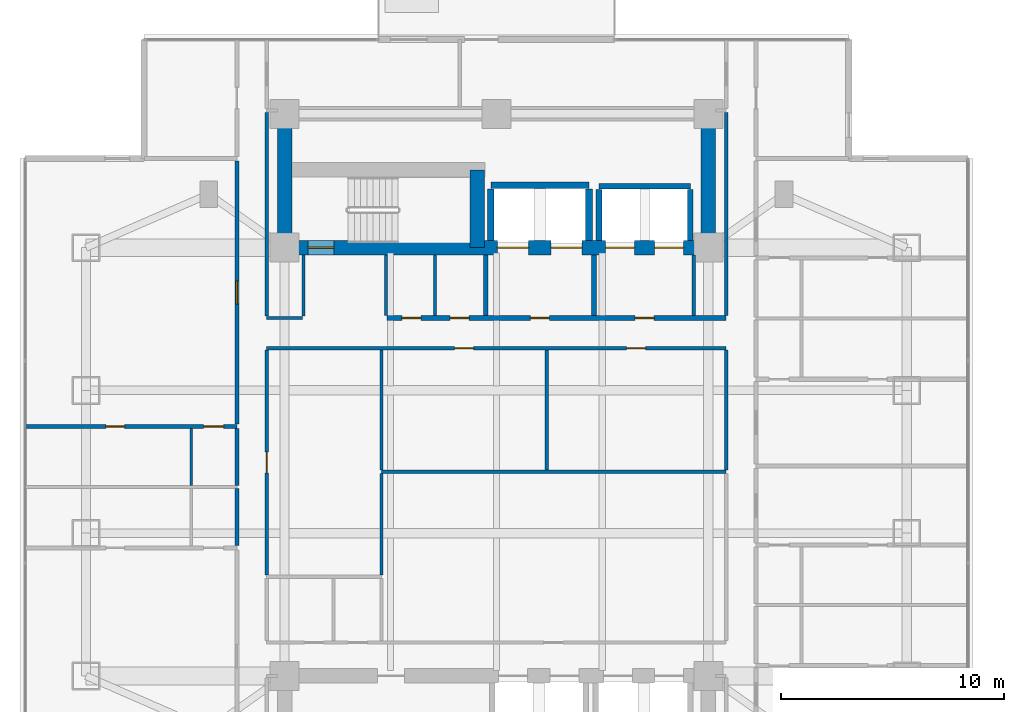
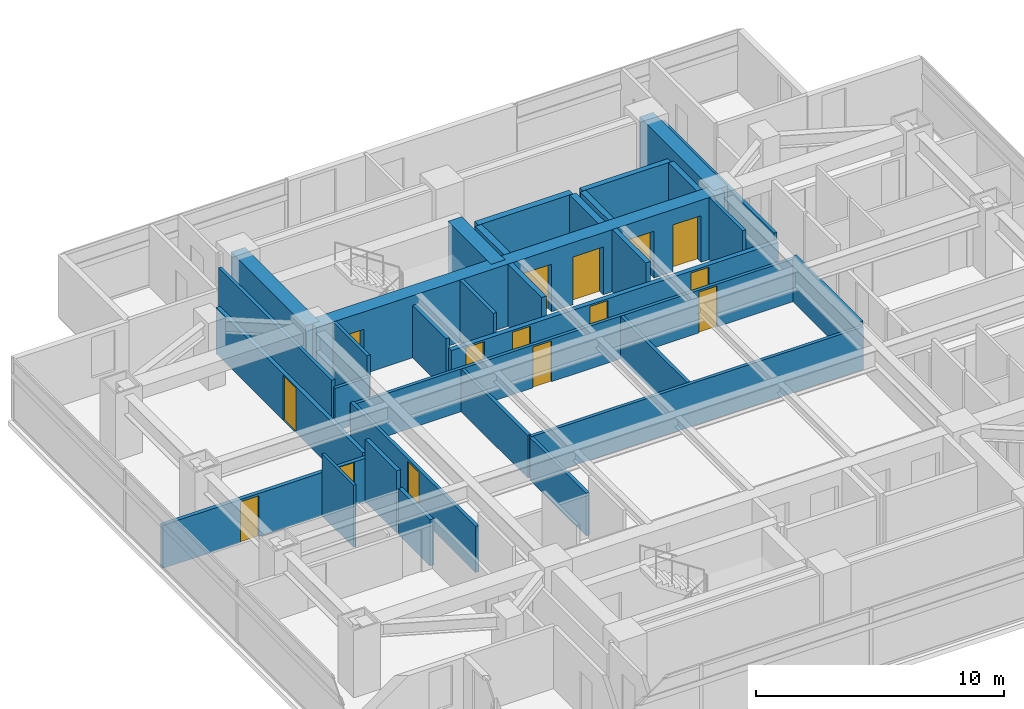
# One storey, part 14 of 25: 32 walls, 15 doors, 15 openings.
"""IFC4 building model written with IfcOpenShell, lengths in metres."""

from ifc_helpers import new_model, si_unit, direction, frame, frame_2d, origin, place, context, subcontext, project, spatial, rectangle, extrude, material, layer, layer_set, type_object, element, fill, save


model = new_model("IFC4")

# Units and contexts
model_context = context("Model", 3, precision=1e-05, world=origin(), true_north=direction((0.0, 1.0)))
body_context = subcontext(model_context, "Body", "Model", "MODEL_VIEW")
ifc_project = project(units=[si_unit("LENGTHUNIT", "METRE"), si_unit("AREAUNIT", "SQUARE_METRE"), si_unit("VOLUMEUNIT", "CUBIC_METRE"), si_unit("PLANEANGLEUNIT", "RADIAN"), si_unit("MASSUNIT", "GRAM", prefix="KILO")], contexts=[model_context])

# Site, building, storey
site_placement = place(None, origin())
site = spatial("IfcSite", under=ifc_project, at=site_placement, CompositionType="ELEMENT")
building_placement = place(site_placement, origin())
building = spatial("IfcBuilding", under=site, at=building_placement, Name="Mirazonda Arch Towers", CompositionType="ELEMENT")
storey_placement = place(building_placement, frame((0.0, 0.0, 58.699951171875)))
storey = spatial("IfcBuildingStorey", under=building, at=storey_placement, Name="L16", CompositionType="ELEMENT", Elevation=58.699951171875)

# Walls
ifc_material_1 = material(Name="Concrete C60/75", Category="concrete")
ifc_layer_1 = layer(ifc_material_1, 0.64990234375, Name="WALL-CORE-650")
ifc_layer_set_1 = layer_set([ifc_layer_1], Name="Concrete C60/75")
wall_type_1 = type_object("IfcWallType", Name="WALL-CORE-650", PredefinedType="SHEAR", material=ifc_layer_set_1)
for number, where, z_axis, x_axis, name in (
    (1, (11.0, 37.60009765625, 0.0), (0.0, 0.0, 1.0), (0.0, 1.0, 0.0), "L16 T1N-W Core Shear Wall"),
    (2, (30.0, 37.60009765625, 0.0), (0.0, 0.0, 1.0), (0.0, 1.0, 0.0), "L16 T1N-E Core Shear Wall"),
):
    element("IfcWall", number, at=place(storey_placement, frame(where, z_axis=z_axis, x_axis=x_axis)), inside=storey, type_object=wall_type_1, Name=name, PredefinedType="SHEAR", context=body_context, shape_type="SweptSolid", body=[
        extrude(rectangle(XDim=6.0, YDim=0.64990234375, at=frame_2d((3.0, 0.0))), origin(), (0.0, 0.0, 1.0), 3.06005859375),
    ])

# Wall, openings, doors
wall_1_placement = place(storey_placement, frame((11.0, 37.60009765625, 0.0), z_axis=(0.0, 0.0, 1.0), x_axis=(1.0, 0.0, 0.0)))
wall_1 = element("IfcWall", 3, at=wall_1_placement, inside=storey, type_object=wall_type_1, Name="L16 T1N-S Core Shear Wall", PredefinedType="SHEAR", context=body_context, shape_type="SweptSolid", body=[
    extrude(rectangle(XDim=19.0, YDim=0.64990234375, at=frame_2d((9.5, 0.0))), origin(), (0.0, 0.0, 1.0), 3.06005859375),
])
opening_1_placement = place(wall_1_placement, frame((1.06005859375, 0.0, 0.0)))
opening_1 = element("IfcOpeningElement", 4, at=opening_1_placement, cuts=wall_1, Name="Opening DR-135", PredefinedType="OPENING", context=body_context, shape_type="SweptSolid", body=[
    extrude(rectangle(XDim=1.14990234375, YDim=2.199951171875, at=frame_2d((0.574951171875, 1.10009765625))), frame((0.0, 0.3349609375, 0.0), z_axis=(0.0, -1.0, 0.0), x_axis=(1.0, 0.0, 0.0)), (0.0, 0.0, 1.0), 0.669921875),
])
opening_2_placement = place(wall_1_placement, frame((9.550048828125, 0.0, 0.0)))
opening_2 = element("IfcOpeningElement", 5, at=opening_2_placement, cuts=wall_1, Name="Opening LD-112", PredefinedType="OPENING", context=body_context, shape_type="SweptSolid", body=[
    extrude(rectangle(XDim=1.39990234375, YDim=2.35009765625, at=frame_2d((0.699951171875, 1.175048828125))), frame((0.0, 0.3349609375, 0.0), z_axis=(0.0, -1.0, 0.0), x_axis=(1.0, 0.0, 0.0)), (0.0, 0.0, 1.0), 0.669921875),
])
opening_3_placement = place(wall_1_placement, frame((11.949951171875, 0.0, 0.0)))
opening_3 = element("IfcOpeningElement", 6, at=opening_3_placement, cuts=wall_1, Name="Opening LD-112", PredefinedType="OPENING", context=body_context, shape_type="SweptSolid", body=[
    extrude(rectangle(XDim=1.39990234375, YDim=2.35009765625, at=frame_2d((0.699951171875, 1.175048828125))), frame((0.0, 0.3349609375, 0.0), z_axis=(0.0, -1.0, 0.0), x_axis=(1.0, 0.0, 0.0)), (0.0, 0.0, 1.0), 0.669921875),
])
opening_4_placement = place(wall_1_placement, frame((14.39990234375, 0.0, 0.0)))
opening_4 = element("IfcOpeningElement", 7, at=opening_4_placement, cuts=wall_1, Name="Opening LD-111", PredefinedType="OPENING", context=body_context, shape_type="SweptSolid", body=[
    extrude(rectangle(XDim=1.300048828125, YDim=2.300048828125, at=frame_2d((0.64990234375, 1.14990234375))), frame((0.0, 0.3349609375, 0.0), z_axis=(0.0, -1.0, 0.0), x_axis=(1.0, 0.0, 0.0)), (0.0, 0.0, 1.0), 0.669921875),
])
opening_5_placement = place(wall_1_placement, frame((16.60009765625, 0.0, 0.0)))
opening_5 = element("IfcOpeningElement", 8, at=opening_5_placement, cuts=wall_1, Name="Opening LD-111", PredefinedType="OPENING", context=body_context, shape_type="SweptSolid", body=[
    extrude(rectangle(XDim=1.300048828125, YDim=2.300048828125, at=frame_2d((0.64990234375, 1.14990234375))), frame((0.0, 0.3349609375, 0.0), z_axis=(0.0, -1.0, 0.0), x_axis=(1.0, 0.0, 0.0)), (0.0, 0.0, 1.0), 0.669921875),
])
ifc_material_2 = material(Name="Architectural Brushed Steel S355", Category="steel")
door_type_1 = type_object("IfcDoorType", Name="DOOR-LIFT-FFL-1400", OperationType="NOTDEFINED", PredefinedType="DOOR", material=ifc_material_2)
door_1_placement = place(opening_2_placement, origin())
door_1 = element("IfcDoor", 9, at=door_1_placement, inside=storey, type_object=door_type_1, Name="L16 Lift Landing Sliding Door FFL-T1", OperationType="DOUBLE_DOOR_SLIDING", OverallHeight=2.35009765625, OverallWidth=1.39990234375, PredefinedType="DOOR", context=body_context, shape_type="SweptSolid", body=[
    extrude(rectangle(XDim=1.39990234375, YDim=2.35009765625, at=frame_2d((0.699951171875, 1.175048828125))), frame((0.0, 0.02490234375, 0.0), z_axis=(0.0, -1.0, 0.0), x_axis=(1.0, 0.0, 0.0)), (0.0, 0.0, 1.0), 0.050048828125),
])
fill(opening_2, door_1)
door_2_placement = place(opening_3_placement, origin())
door_2 = element("IfcDoor", 10, at=door_2_placement, inside=storey, type_object=door_type_1, Name="L16 Lift Landing Sliding Door SVL-T1", OperationType="DOUBLE_DOOR_SLIDING", OverallHeight=2.35009765625, OverallWidth=1.39990234375, PredefinedType="DOOR", context=body_context, shape_type="SweptSolid", body=[
    extrude(rectangle(XDim=1.39990234375, YDim=2.35009765625, at=frame_2d((0.699951171875, 1.175048828125))), frame((0.0, 0.02490234375, 0.0), z_axis=(0.0, -1.0, 0.0), x_axis=(1.0, 0.0, 0.0)), (0.0, 0.0, 1.0), 0.050048828125),
])
fill(opening_3, door_2)
door_type_2 = type_object("IfcDoorType", Name="DOOR-LIFT-LAND-1300", OperationType="NOTDEFINED", PredefinedType="DOOR", material=ifc_material_2)
door_3_placement = place(opening_4_placement, origin())
door_3 = element("IfcDoor", 11, at=door_3_placement, inside=storey, type_object=door_type_2, Name="L16 Lift Landing Sliding Door PL-T1L1", OperationType="DOUBLE_DOOR_SLIDING", OverallHeight=2.300048828125, OverallWidth=1.300048828125, PredefinedType="DOOR", context=body_context, shape_type="SweptSolid", body=[
    extrude(rectangle(XDim=1.300048828125, YDim=2.300048828125, at=frame_2d((0.64990234375, 1.14990234375))), frame((0.0, 0.02490234375, 0.0), z_axis=(0.0, -1.0, 0.0), x_axis=(1.0, 0.0, 0.0)), (0.0, 0.0, 1.0), 0.050048828125),
])
fill(opening_4, door_3)
door_4_placement = place(opening_5_placement, origin())
door_4 = element("IfcDoor", 12, at=door_4_placement, inside=storey, type_object=door_type_2, Name="L16 Lift Landing Sliding Door PL-T1L2", OperationType="DOUBLE_DOOR_SLIDING", OverallHeight=2.300048828125, OverallWidth=1.300048828125, PredefinedType="DOOR", context=body_context, shape_type="SweptSolid", body=[
    extrude(rectangle(XDim=1.300048828125, YDim=2.300048828125, at=frame_2d((0.64990234375, 1.14990234375))), frame((0.0, 0.02490234375, 0.0), z_axis=(0.0, -1.0, 0.0), x_axis=(1.0, 0.0, 0.0)), (0.0, 0.0, 1.0), 0.050048828125),
])
fill(opening_5, door_4)
door_type_3 = type_object("IfcDoorType", Name="DOOR-STAIR-FD90-1150", OperationType="NOTDEFINED", PredefinedType="DOOR", material=ifc_material_2)
door_5_placement = place(opening_1_placement, origin())
door_5 = element("IfcDoor", 13, at=door_5_placement, inside=storey, type_object=door_type_3, Name="L16 Protected Exit Stair North Door", OperationType="SINGLE_SWING_RIGHT", OverallHeight=2.199951171875, OverallWidth=1.14990234375, PredefinedType="DOOR", context=body_context, shape_type="SweptSolid", body=[
    extrude(rectangle(XDim=1.14990234375, YDim=2.199951171875, at=frame_2d((0.574951171875, 1.10009765625))), frame((0.0, 0.02490234375, 0.0), z_axis=(0.0, -1.0, 0.0), x_axis=(1.0, 0.0, 0.0)), (0.0, 0.0, 1.0), 0.050048828125),
])
fill(opening_1, door_5)

# Wall
wall_2_placement = place(storey_placement, frame((19.64990234375, 37.60009765625, 0.0), z_axis=(0.0, 0.0, 1.0), x_axis=(0.0, 1.0, 0.0)))
element("IfcWall", 14, at=wall_2_placement, inside=storey, type_object=wall_type_1, Name="L16 T1N-STE Core Shear Wall", PredefinedType="SHEAR", context=body_context, shape_type="SweptSolid", body=[
    extrude(rectangle(XDim=3.492919921875, YDim=0.64990234375, at=frame_2d((1.74658203125, 0.0))), origin(), (0.0, 0.0, 1.0), 3.06005859375),
])

# Wall, openings, doors
ifc_material_3 = material(Name="Concrete C40/50", Category="concrete")
ifc_layer_2 = layer(ifc_material_3, 0.219970703125, Name="WALL-FFL-220")
ifc_layer_set_2 = layer_set([ifc_layer_2], Name="Concrete C40/50")
wall_type_2 = type_object("IfcWallType", Name="WALL-FFL-220", PredefinedType="SOLIDWALL", material=ifc_layer_set_2)
wall_3_placement = place(storey_placement, frame((15.590087890625, 34.449951171875, 0.0), z_axis=(0.0, 0.0, 1.0), x_axis=(1.0, 0.0, 0.0)))
wall_3 = element("IfcWall", 15, at=wall_3_placement, inside=storey, type_object=wall_type_2, Name="L16 Interior Partition 044", PredefinedType="SOLIDWALL", context=body_context, shape_type="SweptSolid", body=[
    extrude(rectangle(XDim=15.2099609375, YDim=0.219970703125, at=frame_2d((7.60498046875, 0.0))), origin(), (0.0, 0.0, 1.0), 2.10400390625),
])
opening_6_placement = place(wall_3_placement, frame((6.43505859375, 0.0, 0.0)))
opening_6 = element("IfcOpeningElement", 16, at=opening_6_placement, cuts=wall_3, Name="Opening DR-128", PredefinedType="OPENING", context=body_context, shape_type="SweptSolid", body=[
    extrude(rectangle(XDim=0.85009765625, YDim=2.010009765625, at=frame_2d((0.425048828125, 1.0048828125))), frame((0.0, 0.119873046875, 0.0), z_axis=(0.0, -1.0, 0.0), x_axis=(1.0, 0.0, 0.0)), (0.0, 0.0, 1.0), 0.239990234375),
])
opening_7_placement = place(wall_3_placement, frame((11.135009765625, 0.0, 0.0)))
opening_7 = element("IfcOpeningElement", 17, at=opening_7_placement, cuts=wall_3, Name="Opening DR-128", PredefinedType="OPENING", context=body_context, shape_type="SweptSolid", body=[
    extrude(rectangle(XDim=0.85009765625, YDim=2.010009765625, at=frame_2d((0.425048828125, 1.0048828125))), frame((0.0, 0.119873046875, 0.0), z_axis=(0.0, -1.0, 0.0), x_axis=(1.0, 0.0, 0.0)), (0.0, 0.0, 1.0), 0.239990234375),
])
opening_8_placement = place(wall_3_placement, frame((0.675048828125, 0.0, 0.0)))
opening_8 = element("IfcOpeningElement", 18, at=opening_8_placement, cuts=wall_3, Name="Opening DR-128", PredefinedType="OPENING", context=body_context, shape_type="SweptSolid", body=[
    extrude(rectangle(XDim=0.85009765625, YDim=2.010009765625, at=frame_2d((0.425048828125, 1.0048828125))), frame((0.0, 0.119873046875, 0.0), z_axis=(0.0, -1.0, 0.0), x_axis=(1.0, 0.0, 0.0)), (0.0, 0.0, 1.0), 0.239990234375),
])
opening_9_placement = place(wall_3_placement, frame((2.8349609375, 0.0, 0.0)))
opening_9 = element("IfcOpeningElement", 19, at=opening_9_placement, cuts=wall_3, Name="Opening DR-128", PredefinedType="OPENING", context=body_context, shape_type="SweptSolid", body=[
    extrude(rectangle(XDim=0.85009765625, YDim=2.010009765625, at=frame_2d((0.425048828125, 1.0048828125))), frame((0.0, 0.119873046875, 0.0), z_axis=(0.0, -1.0, 0.0), x_axis=(1.0, 0.0, 0.0)), (0.0, 0.0, 1.0), 0.239990234375),
])
door_type_4 = type_object("IfcDoorType", Name="DOOR-RISER-FD60-850", OperationType="NOTDEFINED", PredefinedType="DOOR", material=ifc_material_2)
door_6_placement = place(opening_6_placement, origin())
door_6 = element("IfcDoor", 20, at=door_6_placement, inside=storey, type_object=door_type_4, Name="L16 Firefighting Lift Lobby Door", OperationType="SINGLE_SWING_LEFT", OverallHeight=2.010009765625, OverallWidth=0.85009765625, PredefinedType="DOOR", context=body_context, shape_type="SweptSolid", body=[
    extrude(rectangle(XDim=0.85009765625, YDim=2.010009765625, at=frame_2d((0.425048828125, 1.0048828125))), frame((0.0, 0.02490234375, 0.0), z_axis=(0.0, -1.0, 0.0), x_axis=(1.0, 0.0, 0.0)), (0.0, 0.0, 1.0), 0.050048828125),
])
fill(opening_6, door_6)
door_7_placement = place(opening_7_placement, origin())
door_7 = element("IfcDoor", 21, at=door_7_placement, inside=storey, type_object=door_type_4, Name="L16 Passenger Lift Lobby North Door", OperationType="SINGLE_SWING_RIGHT", OverallHeight=2.010009765625, OverallWidth=0.85009765625, PredefinedType="DOOR", context=body_context, shape_type="SweptSolid", body=[
    extrude(rectangle(XDim=0.85009765625, YDim=2.010009765625, at=frame_2d((0.425048828125, 1.0048828125))), frame((0.0, 0.02490234375, 0.0), z_axis=(0.0, -1.0, 0.0), x_axis=(1.0, 0.0, 0.0)), (0.0, 0.0, 1.0), 0.050048828125),
])
fill(opening_7, door_7)
door_8_placement = place(opening_8_placement, origin())
door_8 = element("IfcDoor", 22, at=door_8_placement, inside=storey, type_object=door_type_4, Name="L16 Electrical Room Door", OperationType="SINGLE_SWING_LEFT", OverallHeight=2.010009765625, OverallWidth=0.85009765625, PredefinedType="DOOR", context=body_context, shape_type="SweptSolid", body=[
    extrude(rectangle(XDim=0.85009765625, YDim=2.010009765625, at=frame_2d((0.425048828125, 1.0048828125))), frame((0.0, 0.02490234375, 0.0), z_axis=(0.0, -1.0, 0.0), x_axis=(1.0, 0.0, 0.0)), (0.0, 0.0, 1.0), 0.050048828125),
])
fill(opening_8, door_8)
door_9_placement = place(opening_9_placement, origin())
door_9 = element("IfcDoor", 23, at=door_9_placement, inside=storey, type_object=door_type_4, Name="L16 Cleaners & Housekeeping Store Door", OperationType="SINGLE_SWING_RIGHT", OverallHeight=2.010009765625, OverallWidth=0.85009765625, PredefinedType="DOOR", context=body_context, shape_type="SweptSolid", body=[
    extrude(rectangle(XDim=0.85009765625, YDim=2.010009765625, at=frame_2d((0.425048828125, 1.0048828125))), frame((0.0, 0.02490234375, 0.0), z_axis=(0.0, -1.0, 0.0), x_axis=(1.0, 0.0, 0.0)), (0.0, 0.0, 1.0), 0.050048828125),
])
fill(opening_9, door_9)

# Walls
for number, where, z_axis, x_axis, name in (
    (24, (20.02490234375, 34.570068359375, 0.0), (0.0, 0.0, 1.0), (0.0, 1.0, 0.0), "L16 Interior Partition 084"),
    (25, (24.875, 34.570068359375, 0.0), (0.0, 0.0, 1.0), (0.0, 1.0, 0.0), "L16 Interior Partition 092"),
):
    element("IfcWall", number, at=place(storey_placement, frame(where, z_axis=z_axis, x_axis=x_axis)), inside=storey, type_object=wall_type_2, Name=name, PredefinedType="SOLIDWALL", context=body_context, shape_type="SweptSolid", body=[
        extrude(rectangle(XDim=2.7099609375, YDim=0.219970703125, at=frame_2d((1.35498046875, 0.0))), origin(), (0.0, 0.0, 1.0), 3.06005859375),
    ])
ifc_material_4 = material(Name="Fire-Rated Gypsum Stud Partition")
ifc_layer_3 = layer(ifc_material_4, 0.14990234375, Name="WALL-PART-CORR-150")
ifc_layer_set_3 = layer_set([ifc_layer_3], Name="Fire-Rated Gypsum Stud Partition")
wall_type_3 = type_object("IfcWallType", Name="WALL-PART-CORR-150", PredefinedType="PARTITIONING", material=ifc_layer_set_3)
wall_4_placement = place(storey_placement, frame((15.35009765625, 27.555908203125, 0.0), z_axis=(0.0, 0.0, 1.0), x_axis=(1.0, 0.0, 0.0)))
element("IfcWall", 26, at=wall_4_placement, inside=storey, type_object=wall_type_3, Name="L16 Interior Partition 031", PredefinedType="PARTITIONING", context=body_context, shape_type="SweptSolid", body=[
    extrude(rectangle(XDim=15.449951171875, YDim=0.14990234375, at=frame_2d((7.72509765625, 0.0))), origin(), (0.0, 0.0, 1.0), 2.10400390625),
])

# Wall, openings, doors
wall_5_placement = place(storey_placement, frame((10.199951171875, 33.10009765625, 0.0), z_axis=(0.0, 0.0, 1.0), x_axis=(1.0, 0.0, 0.0)))
wall_5 = element("IfcWall", 27, at=wall_5_placement, inside=storey, type_object=wall_type_3, Name="L16 Interior Partition 041", PredefinedType="PARTITIONING", context=body_context, shape_type="SweptSolid", body=[
    extrude(rectangle(XDim=20.60009765625, YDim=0.14990234375, at=frame_2d((10.300048828125, 0.0))), origin(), (0.0, 0.0, 1.0), 2.10400390625),
])
opening_10_placement = place(wall_5_placement, frame((8.43310546875, 0.0, 0.0)))
opening_10 = element("IfcOpeningElement", 28, at=opening_10_placement, cuts=wall_5, Name="Opening DR-128", PredefinedType="OPENING", context=body_context, shape_type="SweptSolid", body=[
    extrude(rectangle(XDim=0.85009765625, YDim=2.010009765625, at=frame_2d((0.425048828125, 1.0048828125))), frame((0.0, 0.0849609375, 0.0), z_axis=(0.0, -1.0, 0.0), x_axis=(1.0, 0.0, 0.0)), (0.0, 0.0, 1.0), 0.169921875),
])
opening_11_placement = place(wall_5_placement, frame((16.137939453125, 0.0, 0.0)))
opening_11 = element("IfcOpeningElement", 29, at=opening_11_placement, cuts=wall_5, Name="Opening DR-128", PredefinedType="OPENING", context=body_context, shape_type="SweptSolid", body=[
    extrude(rectangle(XDim=0.85009765625, YDim=2.010009765625, at=frame_2d((0.425048828125, 1.0048828125))), frame((0.0, 0.0849609375, 0.0), z_axis=(0.0, -1.0, 0.0), x_axis=(1.0, 0.0, 0.0)), (0.0, 0.0, 1.0), 0.169921875),
])
door_10_placement = place(opening_10_placement, origin())
door_10 = element("IfcDoor", 30, at=door_10_placement, inside=storey, type_object=door_type_4, Name="L16 Business Reading Study Door", OperationType="SINGLE_SWING_LEFT", OverallHeight=2.010009765625, OverallWidth=0.85009765625, PredefinedType="DOOR", context=body_context, shape_type="SweptSolid", body=[
    extrude(rectangle(XDim=0.85009765625, YDim=2.010009765625, at=frame_2d((0.425048828125, 1.0048828125))), frame((0.0, 0.02490234375, 0.0), z_axis=(0.0, -1.0, 0.0), x_axis=(1.0, 0.0, 0.0)), (0.0, 0.0, 1.0), 0.050048828125),
])
fill(opening_10, door_10)
door_11_placement = place(opening_11_placement, origin())
door_11 = element("IfcDoor", 31, at=door_11_placement, inside=storey, type_object=door_type_4, Name="L16 Private Meeting Suite Door", OperationType="SINGLE_SWING_RIGHT", OverallHeight=2.010009765625, OverallWidth=0.85009765625, PredefinedType="DOOR", context=body_context, shape_type="SweptSolid", body=[
    extrude(rectangle(XDim=0.85009765625, YDim=2.010009765625, at=frame_2d((0.425048828125, 1.0048828125))), frame((0.0, 0.02490234375, 0.0), z_axis=(0.0, -1.0, 0.0), x_axis=(1.0, 0.0, 0.0)), (0.0, 0.0, 1.0), 0.050048828125),
])
fill(opening_11, door_11)

# Wall
wall_6_placement = place(storey_placement, frame((10.199951171875, 34.449951171875, 0.0), z_axis=(0.0, 0.0, 1.0), x_axis=(1.0, 0.0, 0.0)))
element("IfcWall", 32, at=wall_6_placement, inside=storey, type_object=wall_type_3, Name="L16 Interior Partition 043", PredefinedType="PARTITIONING", context=body_context, shape_type="SweptSolid", body=[
    extrude(rectangle(XDim=1.60009765625, YDim=0.14990234375, at=frame_2d((0.800048828125, 0.0))), origin(), (0.0, 0.0, 1.0), 2.10400390625),
])

# Wall, opening, door
wall_7_placement = place(storey_placement, frame((10.206787109375, 22.93505859375, 0.0), z_axis=(0.0, 0.0, 1.0), x_axis=(0.0, 1.0, 0.0)))
wall_7 = element("IfcWall", 33, at=wall_7_placement, inside=storey, type_object=wall_type_3, Name="L16 Interior Partition 072", PredefinedType="PARTITIONING", context=body_context, shape_type="SweptSolid", body=[
    extrude(rectangle(XDim=10.079833984375, YDim=0.14990234375, at=frame_2d((5.0400390625, 0.0))), origin(), (0.0, 0.0, 1.0), 2.279052734375),
])
opening_12_placement = place(wall_7_placement, frame((4.56494140625, 0.0, 0.0)))
opening_12 = element("IfcOpeningElement", 34, at=opening_12_placement, cuts=wall_7, Name="Opening DR-104", PredefinedType="OPENING", context=body_context, shape_type="SweptSolid", body=[
    extrude(rectangle(XDim=0.949951171875, YDim=2.14990234375, at=frame_2d((0.47509765625, 1.074951171875))), frame((0.0, 0.0849609375, 0.0), z_axis=(0.0, -1.0, 0.0), x_axis=(1.0, 0.0, 0.0)), (0.0, 0.0, 1.0), 0.169921875),
])
door_type_5 = type_object("IfcDoorType", Name="DOOR-ROOM-950", OperationType="NOTDEFINED", PredefinedType="DOOR", material=ifc_material_2)
door_12_placement = place(opening_12_placement, origin())
door_12 = element("IfcDoor", 35, at=door_12_placement, inside=storey, type_object=door_type_5, Name="L16 L16 West Courtyard Salon Door", OperationType="SINGLE_SWING_LEFT", OverallHeight=2.14990234375, OverallWidth=0.949951171875, PredefinedType="DOOR", context=body_context, shape_type="SweptSolid", body=[
    extrude(rectangle(XDim=0.949951171875, YDim=2.14990234375, at=frame_2d((0.47509765625, 1.074951171875))), frame((0.0, 0.02490234375, 0.0), z_axis=(0.0, -1.0, 0.0), x_axis=(1.0, 0.0, 0.0)), (0.0, 0.0, 1.0), 0.050048828125),
])
fill(opening_12, door_12)

# Walls
wall_8_placement = place(storey_placement, frame((10.199951171875, 34.534912109375, 0.0), z_axis=(0.0, 0.0, 1.0), x_axis=(0.0, 1.0, 0.0)))
element("IfcWall", 36, at=wall_8_placement, inside=storey, type_object=wall_type_3, Name="L16 Interior Partition 073", PredefinedType="PARTITIONING", context=body_context, shape_type="SweptSolid", body=[
    extrude(rectangle(XDim=9.130126953125, YDim=0.14990234375, at=frame_2d((4.56494140625, 0.0))), origin(), (0.0, 0.0, 1.0), 2.43603515625),
])
wall_9_placement = place(storey_placement, frame((11.85009765625, 34.534912109375, 0.0), z_axis=(0.0, 0.0, 1.0), x_axis=(0.0, 1.0, 0.0)))
element("IfcWall", 37, at=wall_9_placement, inside=storey, type_object=wall_type_3, Name="L16 Interior Partition 075", PredefinedType="PARTITIONING", context=body_context, shape_type="SweptSolid", body=[
    extrude(rectangle(XDim=2.7451171875, YDim=0.14990234375, at=frame_2d((1.37255859375, 0.0))), origin(), (0.0, 0.0, 1.0), 3.06005859375),
])
wall_10_placement = place(storey_placement, frame((15.35009765625, 22.93505859375, 0.0), z_axis=(0.0, 0.0, 1.0), x_axis=(0.0, 1.0, 0.0)))
element("IfcWall", 38, at=wall_10_placement, inside=storey, type_object=wall_type_3, Name="L16 Interior Partition 078", PredefinedType="PARTITIONING", context=body_context, shape_type="SweptSolid", body=[
    extrude(rectangle(XDim=4.535888671875, YDim=0.14990234375, at=frame_2d((2.26806640625, 0.0))), origin(), (0.0, 0.0, 1.0), 2.10400390625),
])
wall_11_placement = place(storey_placement, frame((15.35009765625, 27.64111328125, 0.0), z_axis=(0.0, 0.0, 1.0), x_axis=(0.0, 1.0, 0.0)))
element("IfcWall", 39, at=wall_11_placement, inside=storey, type_object=wall_type_3, Name="L16 Interior Partition 079", PredefinedType="PARTITIONING", context=body_context, shape_type="SweptSolid", body=[
    extrude(rectangle(XDim=5.373779296875, YDim=0.14990234375, at=frame_2d((2.68701171875, 0.0))), origin(), (0.0, 0.0, 1.0), 2.10400390625),
])
wall_12_placement = place(storey_placement, frame((15.550048828125, 34.570068359375, 0.0), z_axis=(0.0, 0.0, 1.0), x_axis=(0.0, 1.0, 0.0)))
element("IfcWall", 40, at=wall_12_placement, inside=storey, type_object=wall_type_3, Name="L16 Interior Partition 080", PredefinedType="PARTITIONING", context=body_context, shape_type="SweptSolid", body=[
    extrude(rectangle(XDim=2.7099609375, YDim=0.14990234375, at=frame_2d((1.35498046875, 0.0))), origin(), (0.0, 0.0, 1.0), 2.589111328125),
])
wall_13_placement = place(storey_placement, frame((17.75, 34.570068359375, 0.0), z_axis=(0.0, 0.0, 1.0), x_axis=(0.0, 1.0, 0.0)))
element("IfcWall", 41, at=wall_13_placement, inside=storey, type_object=wall_type_3, Name="L16 Interior Partition 081", PredefinedType="PARTITIONING", context=body_context, shape_type="SweptSolid", body=[
    extrude(rectangle(XDim=2.7099609375, YDim=0.14990234375, at=frame_2d((1.35498046875, 0.0))), origin(), (0.0, 0.0, 1.0), 3.06005859375),
])
wall_14_placement = place(storey_placement, frame((22.76611328125, 27.64111328125, 0.0), z_axis=(0.0, 0.0, 1.0), x_axis=(0.0, 1.0, 0.0)))
element("IfcWall", 42, at=wall_14_placement, inside=storey, type_object=wall_type_3, Name="L16 Interior Partition 088", PredefinedType="PARTITIONING", context=body_context, shape_type="SweptSolid", body=[
    extrude(rectangle(XDim=5.373779296875, YDim=0.14990234375, at=frame_2d((2.68701171875, 0.0))), origin(), (0.0, 0.0, 1.0), 2.10400390625),
])
wall_15_placement = place(storey_placement, frame((29.35009765625, 34.570068359375, 0.0), z_axis=(0.0, 0.0, 1.0), x_axis=(0.0, 1.0, 0.0)))
element("IfcWall", 43, at=wall_15_placement, inside=storey, type_object=wall_type_3, Name="L16 Interior Partition 095", PredefinedType="PARTITIONING", context=body_context, shape_type="SweptSolid", body=[
    extrude(rectangle(XDim=2.7099609375, YDim=0.14990234375, at=frame_2d((1.35498046875, 0.0))), origin(), (0.0, 0.0, 1.0), 3.06005859375),
])
wall_16_placement = place(storey_placement, frame((30.800048828125, 27.64111328125, 0.0), z_axis=(0.0, 0.0, 1.0), x_axis=(0.0, 1.0, 0.0)))
element("IfcWall", 44, at=wall_16_placement, inside=storey, type_object=wall_type_3, Name="L16 Interior Partition 100", PredefinedType="PARTITIONING", context=body_context, shape_type="SweptSolid", body=[
    extrude(rectangle(XDim=5.373779296875, YDim=0.14990234375, at=frame_2d((2.68701171875, 0.0))), origin(), (0.0, 0.0, 1.0), 2.279052734375),
])
wall_17_placement = place(storey_placement, frame((30.800048828125, 34.570068359375, 0.0), z_axis=(0.0, 0.0, 1.0), x_axis=(0.0, 1.0, 0.0)))
element("IfcWall", 45, at=wall_17_placement, inside=storey, type_object=wall_type_3, Name="L16 Interior Partition 101", PredefinedType="PARTITIONING", context=body_context, shape_type="SweptSolid", body=[
    extrude(rectangle(XDim=9.094970703125, YDim=0.14990234375, at=frame_2d((4.54736328125, 0.0))), origin(), (0.0, 0.0, 1.0), 2.43603515625),
])

# Wall, openings, doors
ifc_material_5 = material(Name="Fire-Rated Gypsum Twin-Stud Assembly")
ifc_layer_4 = layer(ifc_material_5, 0.179931640625, Name="WALL-PART-DEMISE-180")
ifc_layer_set_4 = layer_set([ifc_layer_4], Name="Fire-Rated Gypsum Twin-Stud Assembly")
wall_type_4 = type_object("IfcWallType", Name="WALL-PART-DEMISE-180", PredefinedType="PARTITIONING", material=ifc_layer_set_4)
wall_18_placement = place(storey_placement, frame((-0.639892578125, 29.5859375, 0.0), z_axis=(0.0, 0.0, 1.0), x_axis=(1.0, 0.0, 0.0)))
wall_18 = element("IfcWall", 46, at=wall_18_placement, inside=storey, type_object=wall_type_4, Name="L16 Interior Partition 034", PredefinedType="PARTITIONING", context=body_context, shape_type="SweptSolid", body=[
    extrude(rectangle(XDim=9.5, YDim=0.179931640625, at=frame_2d((4.75, 0.0))), origin(), (0.0, 0.0, 1.0), 2.125),
])
opening_13_placement = place(wall_18_placement, frame((3.625, 0.0, 0.0)))
opening_13 = element("IfcOpeningElement", 47, at=opening_13_placement, cuts=wall_18, Name="Opening DR-128", PredefinedType="OPENING", context=body_context, shape_type="SweptSolid", body=[
    extrude(rectangle(XDim=0.85009765625, YDim=2.010009765625, at=frame_2d((0.425048828125, 1.0048828125))), frame((0.0, 0.099853515625, 0.0), z_axis=(0.0, -1.0, 0.0), x_axis=(1.0, 0.0, 0.0)), (0.0, 0.0, 1.0), 0.199951171875),
])
opening_14_placement = place(wall_18_placement, frame((8.010009765625, 0.0, 0.0)))
opening_14 = element("IfcOpeningElement", 48, at=opening_14_placement, cuts=wall_18, Name="Opening DR-120", PredefinedType="OPENING", context=body_context, shape_type="SweptSolid", body=[
    extrude(rectangle(XDim=0.89990234375, YDim=2.10009765625, at=frame_2d((0.449951171875, 1.050048828125))), frame((0.0, 0.099853515625, 0.0), z_axis=(0.0, -1.0, 0.0), x_axis=(1.0, 0.0, 0.0)), (0.0, 0.0, 1.0), 0.199951171875),
])
door_13_placement = place(opening_13_placement, origin())
door_13 = element("IfcDoor", 49, at=door_13_placement, inside=storey, type_object=door_type_4, Name="L16 Suite Bedroom 2 Door", OperationType="SINGLE_SWING_RIGHT", OverallHeight=2.010009765625, OverallWidth=0.85009765625, PredefinedType="DOOR", context=body_context, shape_type="SweptSolid", body=[
    extrude(rectangle(XDim=0.85009765625, YDim=2.010009765625, at=frame_2d((0.425048828125, 1.0048828125))), frame((0.0, 0.02490234375, 0.0), z_axis=(0.0, -1.0, 0.0), x_axis=(1.0, 0.0, 0.0)), (0.0, 0.0, 1.0), 0.050048828125),
])
fill(opening_13, door_13)
door_type_6 = type_object("IfcDoorType", Name="DOOR-WC-900", OperationType="NOTDEFINED", PredefinedType="DOOR", material=ifc_material_2)
door_14_placement = place(opening_14_placement, origin())
door_14 = element("IfcDoor", 50, at=door_14_placement, inside=storey, type_object=door_type_6, Name="L16 Suite En-Suite Bathroom 2 Door", OperationType="SINGLE_SWING_LEFT", OverallHeight=2.10009765625, OverallWidth=0.89990234375, PredefinedType="DOOR", context=body_context, shape_type="SweptSolid", body=[
    extrude(rectangle(XDim=0.89990234375, YDim=2.10009765625, at=frame_2d((0.449951171875, 1.050048828125))), frame((0.0, 0.02490234375, 0.0), z_axis=(0.0, -1.0, 0.0), x_axis=(1.0, 0.0, 0.0)), (0.0, 0.0, 1.0), 0.050048828125),
])
fill(opening_14, door_14)

# Walls
wall_19_placement = place(storey_placement, frame((8.860107421875, 24.24609375, 0.0), z_axis=(0.0, 0.0, 1.0), x_axis=(0.0, 1.0, 0.0)))
element("IfcWall", 51, at=wall_19_placement, inside=storey, type_object=wall_type_4, Name="L16 Interior Partition 065", PredefinedType="PARTITIONING", context=body_context, shape_type="SweptSolid", body=[
    extrude(rectangle(XDim=2.54736328125, YDim=0.179931640625, at=frame_2d((1.273681640625, 0.0))), origin(), (0.0, 0.0, 1.0), 2.279052734375),
])
wall_20_placement = place(storey_placement, frame((8.860107421875, 26.9384765625, 0.0), z_axis=(0.0, 0.0, 1.0), x_axis=(0.0, 1.0, 0.0)))
element("IfcWall", 52, at=wall_20_placement, inside=storey, type_object=wall_type_4, Name="L16 Interior Partition 066", PredefinedType="PARTITIONING", context=body_context, shape_type="SweptSolid", body=[
    extrude(rectangle(XDim=2.547607421875, YDim=0.179931640625, at=frame_2d((1.27392578125, 0.0))), origin(), (0.0, 0.0, 1.0), 3.06005859375),
])

# Wall, opening, door
wall_21_placement = place(storey_placement, frame((8.860107421875, 29.68603515625, 0.0), z_axis=(0.0, 0.0, 1.0), x_axis=(0.0, 1.0, 0.0)))
wall_21 = element("IfcWall", 53, at=wall_21_placement, inside=storey, type_object=wall_type_4, Name="L16 Interior Partition 067", PredefinedType="PARTITIONING", context=body_context, shape_type="SweptSolid", body=[
    extrude(rectangle(XDim=11.81005859375, YDim=0.179931640625, at=frame_2d((5.905029296875, 0.0))), origin(), (0.0, 0.0, 1.0), 2.279052734375),
])
opening_15_placement = place(wall_21_placement, frame((5.3798828125, 0.0, 0.0)))
opening_15 = element("IfcOpeningElement", 54, at=opening_15_placement, cuts=wall_21, Name="Opening DR-121", PredefinedType="OPENING", context=body_context, shape_type="SweptSolid", body=[
    extrude(rectangle(XDim=1.050048828125, YDim=2.199951171875, at=frame_2d((0.52490234375, 1.10009765625))), frame((0.0, 0.099853515625, 0.0), z_axis=(0.0, -1.0, 0.0), x_axis=(1.0, 0.0, 0.0)), (0.0, 0.0, 1.0), 0.199951171875),
])
door_type_7 = type_object("IfcDoorType", Name="DOOR-SUITE-FD60-1050", OperationType="NOTDEFINED", PredefinedType="DOOR", material=ifc_material_2)
door_15_placement = place(opening_15_placement, origin())
door_15 = element("IfcDoor", 55, at=door_15_placement, inside=storey, type_object=door_type_7, Name="L16 Presidential Hotel Suite 2 Door", OperationType="SINGLE_SWING_LEFT", OverallHeight=2.199951171875, OverallWidth=1.050048828125, PredefinedType="DOOR", context=body_context, shape_type="SweptSolid", body=[
    extrude(rectangle(XDim=1.050048828125, YDim=2.199951171875, at=frame_2d((0.52490234375, 1.10009765625))), frame((0.0, 0.02490234375, 0.0), z_axis=(0.0, -1.0, 0.0), x_axis=(1.0, 0.0, 0.0)), (0.0, 0.0, 1.0), 0.050048828125),
])
fill(opening_15, door_15)

# Walls
ifc_material_6 = material(Name="Acoustic Fire-Rated Gypsum Partition")
ifc_layer_5 = layer(ifc_material_6, 0.125, Name="WALL-PART-UNIT-125")
ifc_layer_set_5 = layer_set([ifc_layer_5], Name="Acoustic Fire-Rated Gypsum Partition")
wall_type_5 = type_object("IfcWallType", Name="WALL-PART-UNIT-125", PredefinedType="PARTITIONING", material=ifc_layer_set_5)
wall_22_placement = place(storey_placement, frame((6.820068359375, 26.9384765625, 0.0), z_axis=(0.0, 0.0, 1.0), x_axis=(0.0, 1.0, 0.0)))
element("IfcWall", 56, at=wall_22_placement, inside=storey, type_object=wall_type_5, Name="L16 Interior Partition 062", PredefinedType="PARTITIONING", context=body_context, shape_type="SweptSolid", body=[
    extrude(rectangle(XDim=2.547607421875, YDim=0.125, at=frame_2d((1.27392578125, 0.0))), origin(), (0.0, 0.0, 1.0), 3.06005859375),
])
ifc_layer_6 = layer(ifc_material_3, 0.25, Name="WALL-SHAFT-250")
ifc_layer_set_6 = layer_set([ifc_layer_6], Name="Concrete C40/50")
wall_type_6 = type_object("IfcWallType", Name="WALL-SHAFT-250", PredefinedType="SOLIDWALL", material=ifc_layer_set_6)
wall_23_placement = place(storey_placement, frame((25.10009765625, 40.35009765625, 0.0), z_axis=(0.0, 0.0, 1.0), x_axis=(1.0, 0.0, 0.0)))
element("IfcWall", 57, at=wall_23_placement, inside=storey, type_object=wall_type_6, Name="L16 Interior Partition 055", PredefinedType="SOLIDWALL", context=body_context, shape_type="SweptSolid", body=[
    extrude(rectangle(XDim=4.099853515625, YDim=0.25, at=frame_2d((2.0498046875, 0.0))), origin(), (0.0, 0.0, 1.0), 3.06005859375),
])
for number, where, z_axis, x_axis, name in (
    (58, (25.10009765625, 37.919921875, 0.0), (0.0, 0.0, 1.0), (0.0, 1.0, 0.0), "L16 Interior Partition 093"),
    (59, (29.199951171875, 37.919921875, 0.0), (0.0, 0.0, 1.0), (0.0, 1.0, 0.0), "L16 Interior Partition 096"),
):
    element("IfcWall", number, at=place(storey_placement, frame(where, z_axis=z_axis, x_axis=x_axis)), inside=storey, type_object=wall_type_6, Name=name, PredefinedType="SOLIDWALL", context=body_context, shape_type="SweptSolid", body=[
        extrude(rectangle(XDim=2.295166015625, YDim=0.25, at=frame_2d((1.1474609375, 0.0))), origin(), (0.0, 0.0, 1.0), 3.06005859375),
    ])
ifc_material_7 = material(Name="Concrete C50/60", Category="concrete")
ifc_layer_7 = layer(ifc_material_7, 0.300048828125, Name="WALL-SHAFT-300")
ifc_layer_set_7 = layer_set([ifc_layer_7], Name="Concrete C50/60")
wall_type_7 = type_object("IfcWallType", Name="WALL-SHAFT-300", PredefinedType="SOLIDWALL", material=ifc_layer_set_7)
wall_24_placement = place(storey_placement, frame((20.25, 40.39990234375, 0.0), z_axis=(0.0, 0.0, 1.0), x_axis=(1.0, 0.0, 0.0)))
element("IfcWall", 60, at=wall_24_placement, inside=storey, type_object=wall_type_7, Name="L16 Interior Partition 056", PredefinedType="SOLIDWALL", context=body_context, shape_type="SweptSolid", body=[
    extrude(rectangle(XDim=4.39990234375, YDim=0.300048828125, at=frame_2d((2.199951171875, 0.0))), origin(), (0.0, 0.0, 1.0), 3.06005859375),
])
for number, where, z_axis, x_axis, name in (
    (61, (20.25, 37.919921875, 0.0), (0.0, 0.0, 1.0), (0.0, 1.0, 0.0), "L16 Interior Partition 087"),
    (62, (24.64990234375, 37.919921875, 0.0), (0.0, 0.0, 1.0), (0.0, 1.0, 0.0), "L16 Interior Partition 090"),
):
    element("IfcWall", number, at=place(storey_placement, frame(where, z_axis=z_axis, x_axis=x_axis)), inside=storey, type_object=wall_type_7, Name=name, PredefinedType="SOLIDWALL", context=body_context, shape_type="SweptSolid", body=[
        extrude(rectangle(XDim=2.320068359375, YDim=0.300048828125, at=frame_2d((1.16015625, 0.0))), origin(), (0.0, 0.0, 1.0), 3.06005859375),
    ])

save(model, "model.ifc")
